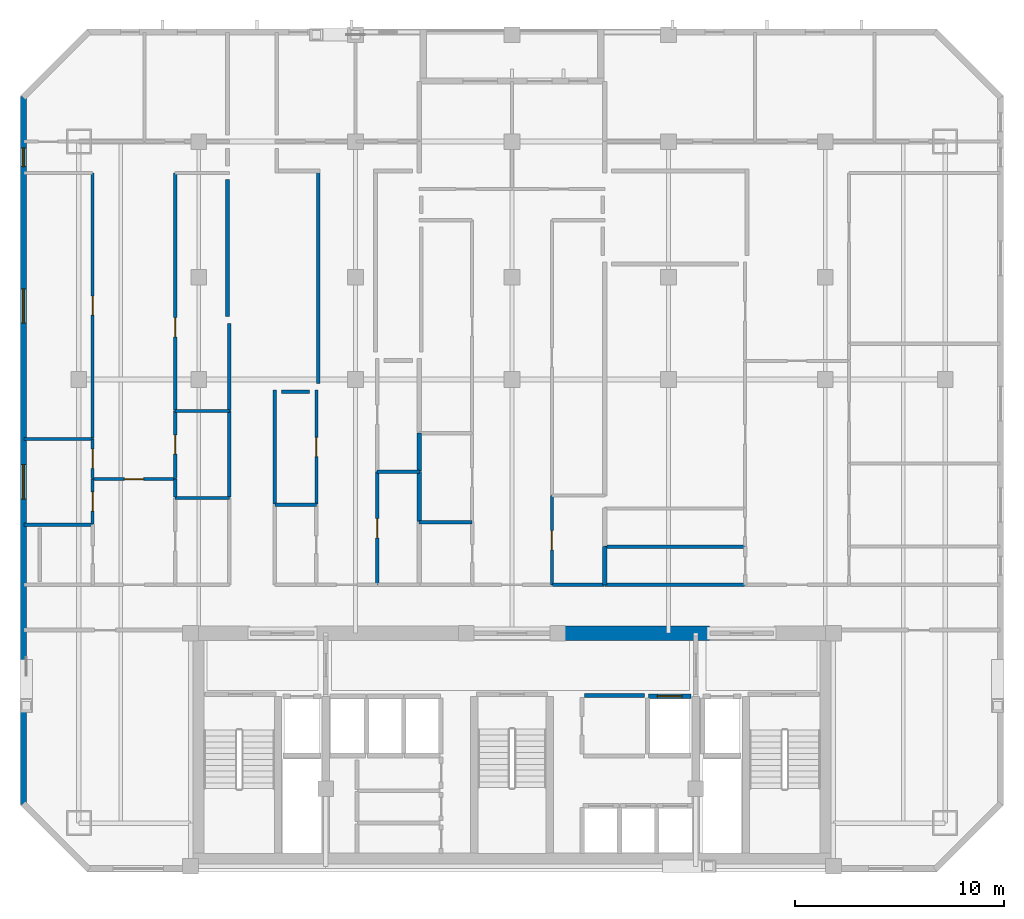
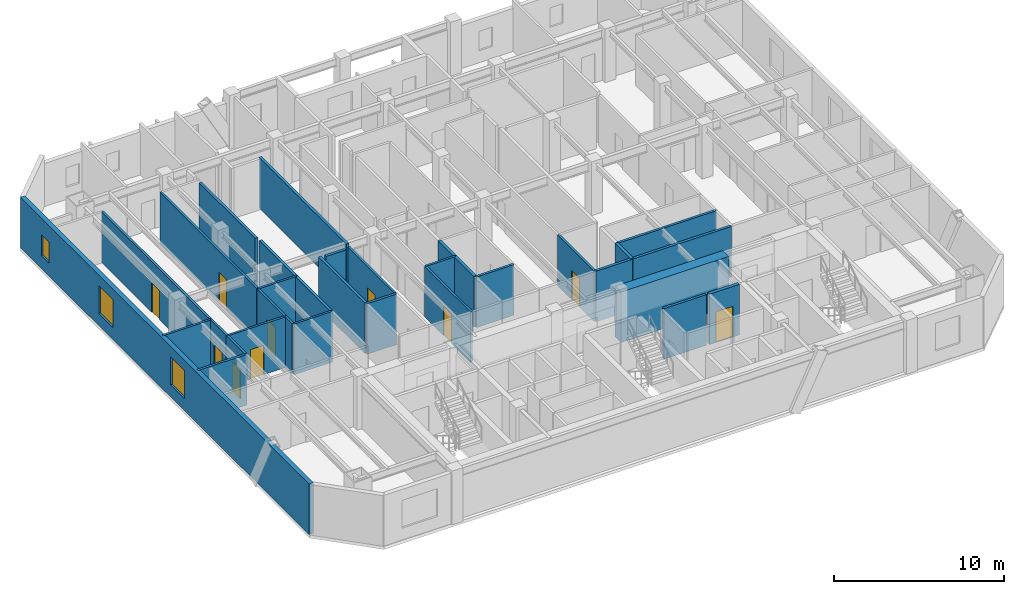
# One storey, part 4 of 9: 33 walls, 10 doors, 3 windows, 13 openings.
"""IFC4 building model written with IfcOpenShell, lengths in metres."""

from ifc_helpers import new_model, si_unit, direction, frame, frame_2d, origin, place, context, subcontext, project, spatial, rectangle, extrude, material, layer, layer_set, type_object, element, fill, save


model = new_model("IFC4")

# Units and contexts
model_context = context("Model", 3, precision=1e-05, world=origin(), true_north=direction((0.0, 1.0)))
body_context = subcontext(model_context, "Body", "Model", "MODEL_VIEW")
ifc_project = project(units=[si_unit("LENGTHUNIT", "METRE"), si_unit("AREAUNIT", "SQUARE_METRE"), si_unit("VOLUMEUNIT", "CUBIC_METRE"), si_unit("PLANEANGLEUNIT", "RADIAN"), si_unit("MASSUNIT", "GRAM", prefix="KILO")], contexts=[model_context])

# Site, building, storey
site_placement = place(None, origin())
site = spatial("IfcSite", under=ifc_project, at=site_placement, CompositionType="ELEMENT")
building_placement = place(site_placement, origin())
building = spatial("IfcBuilding", under=site, at=building_placement, Name="Ventersveld Concourse Tower", CompositionType="ELEMENT")
storey_placement = place(building_placement, frame((0.0, 0.0, 172.14990234375)))
storey = spatial("IfcBuildingStorey", under=building, at=storey_placement, Name="L42", CompositionType="ELEMENT", Elevation=172.14990234375)

# Walls
ifc_material_1 = material(Name="Concrete C60/75", Category="concrete")
ifc_layer_1 = layer(ifc_material_1, 0.699951171875)
ifc_layer_set_1 = layer_set([ifc_layer_1], Name="Concrete C60/75")
wall_type_1 = type_object("IfcWallType", Name="WL-CORE-700", PredefinedType="SHEAR", material=ifc_layer_set_1)
wall_1_placement = place(storey_placement, frame((30.89990234375, 11.449951171875, 0.0), z_axis=(0.0, 0.0, 1.0), x_axis=(1.0, 0.0, 0.0)))
element("IfcWall", 1, at=wall_1_placement, inside=storey, type_object=wall_type_1, Name="L42 Rear Core North Shear Wall NMR", PredefinedType="SHEAR", context=body_context, shape_type="SweptSolid", body=[
    extrude(rectangle(XDim=7.300048828125, YDim=0.699951171875, at=frame_2d((3.64990234375, 0.0))), origin(), (0.0, 0.0, 1.0), 3.630126953125),
])
ifc_material_2 = material(Name="Fire-rated autoclaved aerated masonry blockwork", Category="masonry")
ifc_layer_2 = layer(ifc_material_2, 0.179931640625)
ifc_layer_set_2 = layer_set([ifc_layer_2], Name="Fire-rated autoclaved aerated masonry blockwork")
wall_type_2 = type_object("IfcWallType", Name="WL-CORR-180", PredefinedType="PARTITIONING", material=ifc_layer_set_2)
wall_2_placement = place(storey_placement, frame((32.219970703125, 8.4599609375, 0.0), z_axis=(0.0, 0.0, 1.0), x_axis=(1.0, 0.0, 0.0)))
element("IfcWall", 2, at=wall_2_placement, inside=storey, type_object=wall_type_2, Name="L42 Core Top Wall SP-L42-CBAY1", PredefinedType="PARTITIONING", context=body_context, shape_type="SweptSolid", body=[
    extrude(rectangle(XDim=2.880126953125, YDim=0.179931640625, at=frame_2d((1.43994140625, 0.0))), origin(), (0.0, 0.0, 1.0), 3.630126953125),
])
wall_3_placement = place(storey_placement, frame((15.2099609375, 17.96630859375, 0.0), z_axis=(0.0, 0.0, 1.0), x_axis=(0.0, 1.0, 0.0)))
element("IfcWall", 3, at=wall_3_placement, inside=storey, type_object=wall_type_2, Name="L42 Interior Partition SP-L42-COR-SP-L42-42NW-PANR1", PredefinedType="PARTITIONING", context=body_context, shape_type="SweptSolid", body=[
    extrude(rectangle(XDim=4.13134765625, YDim=0.179931640625, at=frame_2d((2.065673828125, 0.0))), origin(), (0.0, 0.0, 1.0), 3.630126953125),
])
wall_4_placement = place(storey_placement, frame((15.2099609375, 22.127685546875, 0.0), z_axis=(0.0, 0.0, 1.0), x_axis=(0.0, 1.0, 0.0)))
element("IfcWall", 4, at=wall_4_placement, inside=storey, type_object=wall_type_2, Name="L42 Interior Partition SP-L42-COR-SP-L42-42NW-DENR", PredefinedType="PARTITIONING", context=body_context, shape_type="SweptSolid", body=[
    extrude(rectangle(XDim=4.167236328125, YDim=0.179931640625, at=frame_2d((2.08349609375, 0.0))), origin(), (0.0, 0.0, 1.0), 3.630126953125),
])
wall_5_placement = place(storey_placement, frame((17.389892578125, 17.639892578125, 0.0), z_axis=(0.0, 0.0, 1.0), x_axis=(0.0, 1.0, 0.0)))
element("IfcWall", 5, at=wall_5_placement, inside=storey, type_object=wall_type_2, Name="L42 Interior Partition SP-L42-COR-SP-L42-42CW-PANL0", PredefinedType="PARTITIONING", context=body_context, shape_type="SweptSolid", body=[
    extrude(rectangle(XDim=5.46630859375, YDim=0.179931640625, at=frame_2d((2.733154296875, 0.0))), origin(), (0.0, 0.0, 1.0), 3.630126953125),
])
wall_6_placement = place(storey_placement, frame((33.18505859375, 13.77001953125, 0.0), z_axis=(0.0, 0.0, 1.0), x_axis=(1.0, 0.0, 0.0)))
element("IfcWall", 6, at=wall_6_placement, inside=storey, type_object=wall_type_2, Name="L42 Interior Partition SP-L42-COR-SP-L42-42CE-BATH", PredefinedType="PARTITIONING", context=body_context, shape_type="SweptSolid", body=[
    extrude(rectangle(XDim=6.6953125, YDim=0.179931640625, at=frame_2d((3.34765625, 0.0))), origin(), (0.0, 0.0, 1.0), 3.630126953125),
])
wall_7_placement = place(storey_placement, frame((30.696044921875, 13.77001953125, 0.0), z_axis=(0.0, 0.0, 1.0), x_axis=(1.0, 0.0, 0.0)))
element("IfcWall", 7, at=wall_7_placement, inside=storey, type_object=wall_type_2, Name="L42 Interior Partition SP-L42-COR-SP-L42-42CM-KIT", PredefinedType="PARTITIONING", context=body_context, shape_type="SweptSolid", body=[
    extrude(rectangle(XDim=2.458984375, YDim=0.179931640625, at=frame_2d((1.2294921875, 0.0))), origin(), (0.0, 0.0, 1.0), 3.630126953125),
])
wall_8_placement = place(storey_placement, frame((15.1201171875, 33.175048828125, 0.0), z_axis=(0.0, 0.0, 1.0), x_axis=(0.0, -1.0, 0.0)))
element("IfcWall", 8, at=wall_8_placement, inside=storey, type_object=wall_type_2, Name="L42 Room Enclosure Wall SP-L42-42NW-DENR", PredefinedType="PARTITIONING", context=body_context, shape_type="SweptSolid", body=[
    extrude(rectangle(XDim=6.565185546875, YDim=0.179931640625, at=frame_2d((3.28271484375, 0.0))), origin(), (0.0, 0.0, 1.0), 3.630126953125),
])
wall_9_placement = place(storey_placement, frame((19.4658203125, 23.4208984375, 0.0), z_axis=(0.0, 0.0, 1.0), x_axis=(0.0, 1.0, 0.0)))
element("IfcWall", 9, at=wall_9_placement, inside=storey, type_object=wall_type_2, Name="L42 Room Enclosure Wall SP-L42-42CW-LIV", PredefinedType="PARTITIONING", context=body_context, shape_type="SweptSolid", body=[
    extrude(rectangle(XDim=10.26416015625, YDim=0.179931640625, at=frame_2d((5.132080078125, 0.0))), origin(), (0.0, 0.0, 1.0), 3.630126953125),
])
wall_10_placement = place(storey_placement, frame((17.715087890625, 23.010986328125, 0.0), z_axis=(0.0, 0.0, 1.0), x_axis=(1.0, 0.0, 0.0)))
element("IfcWall", 10, at=wall_10_placement, inside=storey, type_object=wall_type_2, Name="L42 Room Enclosure Wall SP-L42-42CW-PANL0", PredefinedType="PARTITIONING", context=body_context, shape_type="SweptSolid", body=[
    extrude(rectangle(XDim=1.335693359375, YDim=0.179931640625, at=frame_2d((0.66796875, 0.0))), origin(), (0.0, 0.0, 1.0), 3.630126953125),
])
ifc_layer_3 = layer(ifc_material_2, 0.199951171875)
ifc_layer_set_3 = layer_set([ifc_layer_3], Name="Fire-rated autoclaved aerated masonry blockwork")
wall_type_3 = type_object("IfcWallType", Name="WL-DEMISE-200", PredefinedType="PARTITIONING", material=ifc_layer_set_3)
wall_11_placement = place(storey_placement, frame((24.31005859375, 16.794677734375, 0.0), z_axis=(0.0, 0.0, 1.0), x_axis=(0.0, 1.0, 0.0)))
element("IfcWall", 11, at=wall_11_placement, inside=storey, type_object=wall_type_3, Name="L42 Interior Partition SP-L42-42CW-KIT-SP-L42-42CM-PANL0", PredefinedType="PARTITIONING", context=body_context, shape_type="SweptSolid", body=[
    extrude(rectangle(XDim=2.395263671875, YDim=0.199951171875, at=frame_2d((1.19775390625, 0.0))), origin(), (0.0, 0.0, 1.0), 3.630126953125),
])
wall_12_placement = place(storey_placement, frame((24.31005859375, 19.219970703125, 0.0), z_axis=(0.0, 0.0, 1.0), x_axis=(0.0, 1.0, 0.0)))
element("IfcWall", 12, at=wall_12_placement, inside=storey, type_object=wall_type_3, Name="L42 Interior Partition SP-L42-42CW-PANR1-SP-L42-42CM-PANL0", PredefinedType="PARTITIONING", context=body_context, shape_type="SweptSolid", body=[
    extrude(rectangle(XDim=1.8115234375, YDim=0.199951171875, at=frame_2d((0.90576171875, 0.0))), origin(), (0.0, 0.0, 1.0), 3.630126953125),
])
wall_13_placement = place(storey_placement, frame((33.18994140625, 13.764892578125, 0.0), z_axis=(0.0, 0.0, 1.0), x_axis=(0.0, 1.0, 0.0)))
element("IfcWall", 13, at=wall_13_placement, inside=storey, type_object=wall_type_3, Name="L42 Interior Partition SP-L42-42CE-BATH-SP-L42-42CM-KIT", PredefinedType="PARTITIONING", context=body_context, shape_type="SweptSolid", body=[
    extrude(rectangle(XDim=1.840087890625, YDim=0.199951171875, at=frame_2d((0.919921875, 0.0))), origin(), (0.0, 0.0, 1.0), 3.630126953125),
])

# Wall, opening, door
ifc_layer_4 = layer(ifc_material_2, 0.219970703125)
ifc_layer_set_4 = layer_set([ifc_layer_4], Name="Fire-rated autoclaved aerated masonry blockwork")
wall_type_4 = type_object("IfcWallType", Name="WL-HOIST-220", PredefinedType="SOLIDWALL", material=ifc_layer_set_4)
wall_14_placement = place(storey_placement, frame((35.280029296875, 8.429931640625, 0.0), z_axis=(0.0, 0.0, 1.0), x_axis=(1.0, 0.0, 0.0)))
wall_14 = element("IfcWall", 14, at=wall_14_placement, inside=storey, type_object=wall_type_4, Name="L42 Lift Hoistway Front Wall SVL-01", PredefinedType="SOLIDWALL", context=body_context, shape_type="SweptSolid", body=[
    extrude(rectangle(XDim=2.0400390625, YDim=0.219970703125, at=frame_2d((1.02001953125, 0.0))), origin(), (0.0, 0.0, 1.0), 3.630126953125),
])
opening_1_placement = place(wall_14_placement, frame((0.429931640625, 0.0, 0.0)))
opening_1 = element("IfcOpeningElement", 15, at=opening_1_placement, cuts=wall_14, Name="Opening LD2", PredefinedType="OPENING", context=body_context, shape_type="SweptSolid", body=[
    extrude(rectangle(XDim=1.179931640625, YDim=2.199951171875, at=frame_2d((0.58984375, 1.10009765625))), frame((0.0, 0.1201171875, 0.0), z_axis=(0.0, -1.0, 0.0), x_axis=(1.0, 0.0, 0.0)), (0.0, 0.0, 1.0), 0.239990234375),
])
ifc_material_3 = material(Name="Brushed stainless steel 316", Category="steel")
door_type_1 = type_object("IfcDoorType", Name="LD-PAX-118", OperationType="SLIDING_TO_LEFT", PredefinedType="DOOR", material=ifc_material_3)
door_1_placement = place(opening_1_placement, origin())
door_1 = element("IfcDoor", 16, at=door_1_placement, inside=storey, type_object=door_type_1, Name="L42 Lift landing door SVL-01 (LD-L42-SVL-01)", OperationType="SLIDING_TO_LEFT", OverallHeight=2.199951171875, OverallWidth=1.179931640625, PredefinedType="DOOR", context=body_context, shape_type="SweptSolid", body=[
    extrude(rectangle(XDim=1.179931640625, YDim=2.199951171875, at=frame_2d((0.58984375, 1.10009765625))), frame((0.0, 0.02490234375, 0.0), z_axis=(0.0, -1.0, 0.0), x_axis=(1.0, 0.0, 0.0)), (0.0, 0.0, 1.0), 0.050048828125),
])
fill(opening_1, door_1)

ifc_material_4 = material(Name="Autoclaved aerated masonry blockwork", Category="masonry")
ifc_layer_5 = layer(ifc_material_4, 0.14990234375)
ifc_layer_set_5 = layer_set([ifc_layer_5], Name="Autoclaved aerated masonry blockwork")
wall_type_5 = type_object("IfcWallType", Name="WL-INT-150", PredefinedType="PARTITIONING", material=ifc_layer_set_5)
wall_15_placement = place(storey_placement, frame((8.65380859375, 18.83349609375, 0.0), z_axis=(0.0, 0.0, 1.0), x_axis=(1.0, 0.0, 0.0)))
wall_15 = element("IfcWall", 17, at=wall_15_placement, inside=storey, type_object=wall_type_5, Name="L42 Interior Partition SP-L42-42NW-FOY-SP-L42-42NW-LIV", PredefinedType="PARTITIONING", context=body_context, shape_type="SweptSolid", body=[
    extrude(rectangle(XDim=3.969970703125, YDim=0.14990234375, at=frame_2d((1.98486328125, 0.0))), origin(), (0.0, 0.0, 1.0), 3.630126953125),
])
opening_2_placement = place(wall_15_placement, frame((1.52490234375, 0.0, 0.0)))
opening_2 = element("IfcOpeningElement", 18, at=opening_2_placement, cuts=wall_15, Name="Opening ID1", PredefinedType="OPENING", context=body_context, shape_type="SweptSolid", body=[
    extrude(rectangle(XDim=0.919921875, YDim=2.10009765625, at=frame_2d((0.4599609375, 1.050048828125))), frame((0.0, 0.0849609375, 0.0), z_axis=(0.0, -1.0, 0.0), x_axis=(1.0, 0.0, 0.0)), (0.0, 0.0, 1.0), 0.169921875),
])
ifc_material_5 = material(Name="Solid-core hardwood veneer timber", Category="wood")
door_type_2 = type_object("IfcDoorType", Name="DR-ROOM-092", OperationType="NOTDEFINED", PredefinedType="DOOR", material=ifc_material_5)
door_2_placement = place(opening_2_placement, origin())
door_2 = element("IfcDoor", 19, at=door_2_placement, inside=storey, type_object=door_type_2, Name="L42 Interior Door SP-L42-42NW-FOY to SP-L42-42NW-LIV (D-L42-2057)", OperationType="SINGLE_SWING_LEFT", OverallHeight=2.10009765625, OverallWidth=0.919921875, PredefinedType="DOOR", context=body_context, shape_type="SweptSolid", body=[
    extrude(rectangle(XDim=0.919921875, YDim=2.10009765625, at=frame_2d((0.4599609375, 1.050048828125))), frame((0.0, 0.02490234375, 0.0), z_axis=(0.0, -1.0, 0.0), x_axis=(1.0, 0.0, 0.0)), (0.0, 0.0, 1.0), 0.050048828125),
])
fill(opening_2, door_2)

wall_16_placement = place(storey_placement, frame((8.65869140625, 16.680419921875, 0.0), z_axis=(0.0, 0.0, 1.0), x_axis=(0.0, 1.0, 0.0)))
wall_16 = element("IfcWall", 20, at=wall_16_placement, inside=storey, type_object=wall_type_5, Name="L42 Interior Partition SP-L42-42NW-FOY-SP-L42-42NW-PANL0", PredefinedType="PARTITIONING", context=body_context, shape_type="SweptSolid", body=[
    extrude(rectangle(XDim=2.157958984375, YDim=0.14990234375, at=frame_2d((1.0791015625, 0.0))), origin(), (0.0, 0.0, 1.0), 3.630126953125),
])
opening_3_placement = place(wall_16_placement, frame((0.618896484375, 0.0, 0.0)))
opening_3 = element("IfcOpeningElement", 21, at=opening_3_placement, cuts=wall_16, Name="Opening ID1", PredefinedType="OPENING", context=body_context, shape_type="SweptSolid", body=[
    extrude(rectangle(XDim=0.919921875, YDim=2.10009765625, at=frame_2d((0.4599609375, 1.050048828125))), frame((0.0, 0.0849609375, 0.0), z_axis=(0.0, -1.0, 0.0), x_axis=(1.0, 0.0, 0.0)), (0.0, 0.0, 1.0), 0.169921875),
])
door_3_placement = place(opening_3_placement, origin())
door_3 = element("IfcDoor", 22, at=door_3_placement, inside=storey, type_object=door_type_2, Name="L42 Interior Door SP-L42-42NW-FOY to SP-L42-42NW-PANL0 (D-L42-2059)", OperationType="SINGLE_SWING_LEFT", OverallHeight=2.10009765625, OverallWidth=0.919921875, PredefinedType="DOOR", context=body_context, shape_type="SweptSolid", body=[
    extrude(rectangle(XDim=0.919921875, YDim=2.10009765625, at=frame_2d((0.4599609375, 1.050048828125))), frame((0.0, 0.02490234375, 0.0), z_axis=(0.0, -1.0, 0.0), x_axis=(1.0, 0.0, 0.0)), (0.0, 0.0, 1.0), 0.050048828125),
])
fill(opening_3, door_3)

# Wall
wall_17_placement = place(storey_placement, frame((12.61865234375, 17.96630859375, 0.0), z_axis=(0.0, 0.0, 1.0), x_axis=(0.0, 1.0, 0.0)))
element("IfcWall", 23, at=wall_17_placement, inside=storey, type_object=wall_type_5, Name="L42 Interior Partition SP-L42-42NW-FOY-SP-L42-42NW-PANR1", PredefinedType="PARTITIONING", context=body_context, shape_type="SweptSolid", body=[
    extrude(rectangle(XDim=0.8720703125, YDim=0.14990234375, at=frame_2d((0.43603515625, 0.0))), origin(), (0.0, 0.0, 1.0), 3.630126953125),
])

# Wall, opening, door
wall_18_placement = place(storey_placement, frame((8.65869140625, 18.868408203125, 0.0), z_axis=(0.0, 0.0, 1.0), x_axis=(0.0, 1.0, 0.0)))
wall_18 = element("IfcWall", 24, at=wall_18_placement, inside=storey, type_object=wall_type_5, Name="L42 Interior Partition SP-L42-42NW-LIV-SP-L42-42NW-PANL0", PredefinedType="PARTITIONING", context=body_context, shape_type="SweptSolid", body=[
    extrude(rectangle(XDim=1.88232421875, YDim=0.14990234375, at=frame_2d((0.941162109375, 0.0))), origin(), (0.0, 0.0, 1.0), 3.630126953125),
])
opening_4_placement = place(wall_18_placement, frame((0.481201171875, 0.0, 0.0)))
opening_4 = element("IfcOpeningElement", 25, at=opening_4_placement, cuts=wall_18, Name="Opening ID1", PredefinedType="OPENING", context=body_context, shape_type="SweptSolid", body=[
    extrude(rectangle(XDim=0.919921875, YDim=2.10009765625, at=frame_2d((0.4599609375, 1.050048828125))), frame((0.0, 0.0849609375, 0.0), z_axis=(0.0, -1.0, 0.0), x_axis=(1.0, 0.0, 0.0)), (0.0, 0.0, 1.0), 0.169921875),
])
door_4_placement = place(opening_4_placement, origin())
door_4 = element("IfcDoor", 26, at=door_4_placement, inside=storey, type_object=door_type_2, Name="L42 Interior Door SP-L42-42NW-LIV to SP-L42-42NW-PANL0 (D-L42-2061)", OperationType="SINGLE_SWING_LEFT", OverallHeight=2.10009765625, OverallWidth=0.919921875, PredefinedType="DOOR", context=body_context, shape_type="SweptSolid", body=[
    extrude(rectangle(XDim=0.919921875, YDim=2.10009765625, at=frame_2d((0.4599609375, 1.050048828125))), frame((0.0, 0.02490234375, 0.0), z_axis=(0.0, -1.0, 0.0), x_axis=(1.0, 0.0, 0.0)), (0.0, 0.0, 1.0), 0.050048828125),
])
fill(opening_4, door_4)

wall_19_placement = place(storey_placement, frame((8.65869140625, 20.78076171875, 0.0), z_axis=(0.0, 0.0, 1.0), x_axis=(0.0, 1.0, 0.0)))
wall_19 = element("IfcWall", 27, at=wall_19_placement, inside=storey, type_object=wall_type_5, Name="L42 Interior Partition SP-L42-42NW-LIV-SP-L42-42NW-MEDL2", PredefinedType="PARTITIONING", context=body_context, shape_type="SweptSolid", body=[
    extrude(rectangle(XDim=12.72412109375, YDim=0.14990234375, at=frame_2d((6.362060546875, 0.0))), origin(), (0.0, 0.0, 1.0), 3.630126953125),
])
opening_5_placement = place(wall_19_placement, frame((5.902099609375, 0.0, 0.0)))
opening_5 = element("IfcOpeningElement", 28, at=opening_5_placement, cuts=wall_19, Name="Opening ID1", PredefinedType="OPENING", context=body_context, shape_type="SweptSolid", body=[
    extrude(rectangle(XDim=0.919921875, YDim=2.10009765625, at=frame_2d((0.4599609375, 1.050048828125))), frame((0.0, 0.0849609375, 0.0), z_axis=(0.0, -1.0, 0.0), x_axis=(1.0, 0.0, 0.0)), (0.0, 0.0, 1.0), 0.169921875),
])
door_5_placement = place(opening_5_placement, origin())
door_5 = element("IfcDoor", 29, at=door_5_placement, inside=storey, type_object=door_type_2, Name="L42 Interior Door SP-L42-42NW-LIV to SP-L42-42NW-MEDL2 (D-L42-2062)", OperationType="SINGLE_SWING_RIGHT", OverallHeight=2.10009765625, OverallWidth=0.919921875, PredefinedType="DOOR", context=body_context, shape_type="SweptSolid", body=[
    extrude(rectangle(XDim=0.919921875, YDim=2.10009765625, at=frame_2d((0.4599609375, 1.050048828125))), frame((0.0, 0.02490234375, 0.0), z_axis=(0.0, -1.0, 0.0), x_axis=(1.0, 0.0, 0.0)), (0.0, 0.0, 1.0), 0.050048828125),
])
fill(opening_5, door_5)

wall_20_placement = place(storey_placement, frame((12.61865234375, 18.868408203125, 0.0), z_axis=(0.0, 0.0, 1.0), x_axis=(0.0, 1.0, 0.0)))
wall_20 = element("IfcWall", 30, at=wall_20_placement, inside=storey, type_object=wall_type_5, Name="L42 Interior Partition SP-L42-42NW-LIV-SP-L42-42NW-PANR1", PredefinedType="PARTITIONING", context=body_context, shape_type="SweptSolid", body=[
    extrude(rectangle(XDim=3.229248046875, YDim=0.14990234375, at=frame_2d((1.61474609375, 0.0))), origin(), (0.0, 0.0, 1.0), 3.630126953125),
])
opening_6_placement = place(wall_20_placement, frame((1.154541015625, 0.0, 0.0)))
opening_6 = element("IfcOpeningElement", 31, at=opening_6_placement, cuts=wall_20, Name="Opening ID1", PredefinedType="OPENING", context=body_context, shape_type="SweptSolid", body=[
    extrude(rectangle(XDim=0.919921875, YDim=2.10009765625, at=frame_2d((0.4599609375, 1.050048828125))), frame((0.0, 0.0849609375, 0.0), z_axis=(0.0, -1.0, 0.0), x_axis=(1.0, 0.0, 0.0)), (0.0, 0.0, 1.0), 0.169921875),
])
door_6_placement = place(opening_6_placement, origin())
door_6 = element("IfcDoor", 32, at=door_6_placement, inside=storey, type_object=door_type_2, Name="L42 Interior Door SP-L42-42NW-LIV to SP-L42-42NW-PANR1 (D-L42-2063)", OperationType="SINGLE_SWING_LEFT", OverallHeight=2.10009765625, OverallWidth=0.919921875, PredefinedType="DOOR", context=body_context, shape_type="SweptSolid", body=[
    extrude(rectangle(XDim=0.919921875, YDim=2.10009765625, at=frame_2d((0.4599609375, 1.050048828125))), frame((0.0, 0.02490234375, 0.0), z_axis=(0.0, -1.0, 0.0), x_axis=(1.0, 0.0, 0.0)), (0.0, 0.0, 1.0), 0.050048828125),
])
fill(opening_6, door_6)

wall_21_placement = place(storey_placement, frame((12.61865234375, 22.127685546875, 0.0), z_axis=(0.0, 0.0, 1.0), x_axis=(0.0, 1.0, 0.0)))
wall_21 = element("IfcWall", 33, at=wall_21_placement, inside=storey, type_object=wall_type_5, Name="L42 Interior Partition SP-L42-42NW-LIV-SP-L42-42NW-DENR", PredefinedType="PARTITIONING", context=body_context, shape_type="SweptSolid", body=[
    extrude(rectangle(XDim=11.377197265625, YDim=0.14990234375, at=frame_2d((5.6884765625, 0.0))), origin(), (0.0, 0.0, 1.0), 3.630126953125),
])
opening_7_placement = place(wall_21_placement, frame((3.522216796875, 0.0, 0.0)))
opening_7 = element("IfcOpeningElement", 34, at=opening_7_placement, cuts=wall_21, Name="Opening ID1", PredefinedType="OPENING", context=body_context, shape_type="SweptSolid", body=[
    extrude(rectangle(XDim=0.919921875, YDim=2.10009765625, at=frame_2d((0.4599609375, 1.050048828125))), frame((0.0, 0.0849609375, 0.0), z_axis=(0.0, -1.0, 0.0), x_axis=(1.0, 0.0, 0.0)), (0.0, 0.0, 1.0), 0.169921875),
])
door_7_placement = place(opening_7_placement, origin())
door_7 = element("IfcDoor", 35, at=door_7_placement, inside=storey, type_object=door_type_2, Name="L42 Interior Door SP-L42-42NW-LIV to SP-L42-42NW-DENR (D-L42-2064)", OperationType="SINGLE_SWING_RIGHT", OverallHeight=2.10009765625, OverallWidth=0.919921875, PredefinedType="DOOR", context=body_context, shape_type="SweptSolid", body=[
    extrude(rectangle(XDim=0.919921875, YDim=2.10009765625, at=frame_2d((0.4599609375, 1.050048828125))), frame((0.0, 0.02490234375, 0.0), z_axis=(0.0, -1.0, 0.0), x_axis=(1.0, 0.0, 0.0)), (0.0, 0.0, 1.0), 0.050048828125),
])
fill(opening_7, door_7)

# Walls
wall_22_placement = place(storey_placement, frame((5.37255859375, 20.74560546875, 0.0), z_axis=(0.0, 0.0, 1.0), x_axis=(1.0, 0.0, 0.0)))
element("IfcWall", 36, at=wall_22_placement, inside=storey, type_object=wall_type_5, Name="L42 Interior Partition SP-L42-42NW-PANL0-SP-L42-42NW-MEDL2", PredefinedType="PARTITIONING", context=body_context, shape_type="SweptSolid", body=[
    extrude(rectangle(XDim=3.291259765625, YDim=0.14990234375, at=frame_2d((1.6455078125, 0.0))), origin(), (0.0, 0.0, 1.0), 3.630126953125),
])
for number, where, z_axis, x_axis, name in (
    (37, (12.61376953125, 17.931396484375, 0.0), (0.0, 0.0, 1.0), (1.0, 0.0, 0.0), "L42 Interior Partition SP-L42-42NW-KIT-SP-L42-42NW-PANR1"),
    (38, (12.61376953125, 22.092529296875, 0.0), (0.0, 0.0, 1.0), (1.0, 0.0, 0.0), "L42 Interior Partition SP-L42-42NW-PANR1-SP-L42-42NW-DENR"),
):
    element("IfcWall", number, at=place(storey_placement, frame(where, z_axis=z_axis, x_axis=x_axis)), inside=storey, type_object=wall_type_5, Name=name, PredefinedType="PARTITIONING", context=body_context, shape_type="SweptSolid", body=[
        extrude(rectangle(XDim=2.601318359375, YDim=0.14990234375, at=frame_2d((1.30078125, 0.0))), origin(), (0.0, 0.0, 1.0), 3.630126953125),
    ])

# Wall, opening, door
wall_23_placement = place(storey_placement, frame((19.375732421875, 17.639892578125, 0.0), z_axis=(0.0, 0.0, 1.0), x_axis=(0.0, 1.0, 0.0)))
wall_23 = element("IfcWall", 39, at=wall_23_placement, inside=storey, type_object=wall_type_5, Name="L42 Interior Partition SP-L42-42CW-LIV-SP-L42-42CW-PANL0", PredefinedType="PARTITIONING", context=body_context, shape_type="SweptSolid", body=[
    extrude(rectangle(XDim=5.46630859375, YDim=0.14990234375, at=frame_2d((2.733154296875, 0.0))), origin(), (0.0, 0.0, 1.0), 3.630126953125),
])
opening_8_placement = place(wall_23_placement, frame((2.273193359375, 0.0, 0.0)))
opening_8 = element("IfcOpeningElement", 40, at=opening_8_placement, cuts=wall_23, Name="Opening ID1", PredefinedType="OPENING", context=body_context, shape_type="SweptSolid", body=[
    extrude(rectangle(XDim=0.919921875, YDim=2.10009765625, at=frame_2d((0.4599609375, 1.050048828125))), frame((0.0, 0.0849609375, 0.0), z_axis=(0.0, -1.0, 0.0), x_axis=(1.0, 0.0, 0.0)), (0.0, 0.0, 1.0), 0.169921875),
])
door_8_placement = place(opening_8_placement, origin())
door_8 = element("IfcDoor", 41, at=door_8_placement, inside=storey, type_object=door_type_2, Name="L42 Interior Door SP-L42-42CW-LIV to SP-L42-42CW-PANL0 (D-L42-2068)", OperationType="SINGLE_SWING_RIGHT", OverallHeight=2.10009765625, OverallWidth=0.919921875, PredefinedType="DOOR", context=body_context, shape_type="SweptSolid", body=[
    extrude(rectangle(XDim=0.919921875, YDim=2.10009765625, at=frame_2d((0.4599609375, 1.050048828125))), frame((0.0, 0.02490234375, 0.0), z_axis=(0.0, -1.0, 0.0), x_axis=(1.0, 0.0, 0.0)), (0.0, 0.0, 1.0), 0.050048828125),
])
fill(opening_8, door_8)

wall_24_placement = place(storey_placement, frame((22.296142578125, 13.764892578125, 0.0), z_axis=(0.0, 0.0, 1.0), x_axis=(0.0, 1.0, 0.0)))
wall_24 = element("IfcWall", 42, at=wall_24_placement, inside=storey, type_object=wall_type_5, Name="L42 Interior Partition SP-L42-42CW-LIV-SP-L42-42CW-KIT", PredefinedType="PARTITIONING", context=body_context, shape_type="SweptSolid", body=[
    extrude(rectangle(XDim=5.425048828125, YDim=0.14990234375, at=frame_2d((2.71240234375, 0.0))), origin(), (0.0, 0.0, 1.0), 3.630126953125),
])
opening_9_placement = place(wall_24_placement, frame((2.25244140625, 0.0, 0.0)))
opening_9 = element("IfcOpeningElement", 43, at=opening_9_placement, cuts=wall_24, Name="Opening ID1", PredefinedType="OPENING", context=body_context, shape_type="SweptSolid", body=[
    extrude(rectangle(XDim=0.919921875, YDim=2.10009765625, at=frame_2d((0.4599609375, 1.050048828125))), frame((0.0, 0.0849609375, 0.0), z_axis=(0.0, -1.0, 0.0), x_axis=(1.0, 0.0, 0.0)), (0.0, 0.0, 1.0), 0.169921875),
])
door_9_placement = place(opening_9_placement, origin())
door_9 = element("IfcDoor", 44, at=door_9_placement, inside=storey, type_object=door_type_2, Name="L42 Interior Door SP-L42-42CW-LIV to SP-L42-42CW-KIT (D-L42-2069)", OperationType="SINGLE_SWING_LEFT", OverallHeight=2.10009765625, OverallWidth=0.919921875, PredefinedType="DOOR", context=body_context, shape_type="SweptSolid", body=[
    extrude(rectangle(XDim=0.919921875, YDim=2.10009765625, at=frame_2d((0.4599609375, 1.050048828125))), frame((0.0, 0.02490234375, 0.0), z_axis=(0.0, -1.0, 0.0), x_axis=(1.0, 0.0, 0.0)), (0.0, 0.0, 1.0), 0.050048828125),
])
fill(opening_9, door_9)

# Wall
wall_25_placement = place(storey_placement, frame((22.291259765625, 19.18505859375, 0.0), z_axis=(0.0, 0.0, 1.0), x_axis=(1.0, 0.0, 0.0)))
element("IfcWall", 45, at=wall_25_placement, inside=storey, type_object=wall_type_5, Name="L42 Interior Partition SP-L42-42CW-KIT-SP-L42-42CW-PANR1", PredefinedType="PARTITIONING", context=body_context, shape_type="SweptSolid", body=[
    extrude(rectangle(XDim=2.023681640625, YDim=0.14990234375, at=frame_2d((1.01171875, 0.0))), origin(), (0.0, 0.0, 1.0), 3.630126953125),
])

# Wall, opening, door
wall_26_placement = place(storey_placement, frame((30.660888671875, 13.764892578125, 0.0), z_axis=(0.0, 0.0, 1.0), x_axis=(0.0, 1.0, 0.0)))
wall_26 = element("IfcWall", 46, at=wall_26_placement, inside=storey, type_object=wall_type_5, Name="L42 Interior Partition SP-L42-42CM-LIV-SP-L42-42CM-KIT", PredefinedType="PARTITIONING", context=body_context, shape_type="SweptSolid", body=[
    extrude(rectangle(XDim=4.27685546875, YDim=0.14990234375, at=frame_2d((2.138427734375, 0.0))), origin(), (0.0, 0.0, 1.0), 3.630126953125),
])
opening_10_placement = place(wall_26_placement, frame((1.678466796875, 0.0, 0.0)))
opening_10 = element("IfcOpeningElement", 47, at=opening_10_placement, cuts=wall_26, Name="Opening ID1", PredefinedType="OPENING", context=body_context, shape_type="SweptSolid", body=[
    extrude(rectangle(XDim=0.919921875, YDim=2.10009765625, at=frame_2d((0.4599609375, 1.050048828125))), frame((0.0, 0.0849609375, 0.0), z_axis=(0.0, -1.0, 0.0), x_axis=(1.0, 0.0, 0.0)), (0.0, 0.0, 1.0), 0.169921875),
])
door_10_placement = place(opening_10_placement, origin())
door_10 = element("IfcDoor", 48, at=door_10_placement, inside=storey, type_object=door_type_2, Name="L42 Interior Door SP-L42-42CM-LIV to SP-L42-42CM-KIT (D-L42-2088)", OperationType="SINGLE_SWING_RIGHT", OverallHeight=2.10009765625, OverallWidth=0.919921875, PredefinedType="DOOR", context=body_context, shape_type="SweptSolid", body=[
    extrude(rectangle(XDim=0.919921875, YDim=2.10009765625, at=frame_2d((0.4599609375, 1.050048828125))), frame((0.0, 0.02490234375, 0.0), z_axis=(0.0, -1.0, 0.0), x_axis=(1.0, 0.0, 0.0)), (0.0, 0.0, 1.0), 0.050048828125),
])
fill(opening_10, door_10)

# Wall, openings, windows
ifc_material_6 = material(Name="Precast concrete C45/55", Category="concrete")
ifc_layer_6 = layer(ifc_material_6, 0.300048828125)
ifc_layer_set_6 = layer_set([ifc_layer_6], Name="Precast concrete C45/55")
wall_type_6 = type_object("IfcWallType", Name="WL-PREC-300", PredefinedType="SOLIDWALL", material=ifc_layer_set_6)
wall_27_placement = place(storey_placement, frame((5.35009765625, 37.159912109375, 0.0), z_axis=(0.0, 0.0, 1.0), x_axis=(0.0, -1.0, 0.0)))
wall_27 = element("IfcWall", 49, at=wall_27_placement, inside=storey, type_object=wall_type_6, Name="L42 Highveld Precast Facade Wall E11", PredefinedType="SOLIDWALL", context=body_context, shape_type="SweptSolid", body=[
    extrude(rectangle(XDim=33.919921875, YDim=0.300048828125, at=frame_2d((16.9599609375, 0.0))), origin(), (0.0, 0.0, 1.0), 3.630126953125),
])
opening_11_placement = place(wall_27_placement, frame((2.4599609375, 0.0, 0.949951171875)))
opening_11 = element("IfcOpeningElement", 50, at=opening_11_placement, cuts=wall_27, Name="Opening W4", PredefinedType="OPENING", context=body_context, shape_type="SweptSolid", body=[
    extrude(rectangle(XDim=0.89990234375, YDim=1.5, at=frame_2d((0.449951171875, 0.75))), frame((0.0, 0.16015625, 0.0), z_axis=(0.0, -1.0, 0.0), x_axis=(1.0, 0.0, 0.0)), (0.0, 0.0, 1.0), 0.320068359375),
])
opening_12_placement = place(wall_27_placement, frame((17.639404296875, 0.0, 0.8798828125)))
opening_12 = element("IfcOpeningElement", 51, at=opening_12_placement, cuts=wall_27, Name="Opening W6", PredefinedType="OPENING", context=body_context, shape_type="SweptSolid", body=[
    extrude(rectangle(XDim=1.64990234375, YDim=2.0, at=frame_2d((0.824951171875, 1.0))), frame((0.0, 0.16015625, 0.0), z_axis=(0.0, -1.0, 0.0), x_axis=(1.0, 0.0, 0.0)), (0.0, 0.0, 1.0), 0.320068359375),
])
opening_13_placement = place(wall_27_placement, frame((9.212158203125, 0.0, 0.8798828125)))
opening_13 = element("IfcOpeningElement", 52, at=opening_13_placement, cuts=wall_27, Name="Opening W6", PredefinedType="OPENING", context=body_context, shape_type="SweptSolid", body=[
    extrude(rectangle(XDim=1.64990234375, YDim=2.0, at=frame_2d((0.824951171875, 1.0))), frame((0.0, 0.16015625, 0.0), z_axis=(0.0, -1.0, 0.0), x_axis=(1.0, 0.0, 0.0)), (0.0, 0.0, 1.0), 0.320068359375),
])
ifc_material_7 = material(Name="Tempered acoustic Low-E IGU", Category="glass")
window_type_1 = type_object("IfcWindowType", Name="WIN-090x150", PartitioningType="SINGLE_PANEL", PredefinedType="WINDOW", material=ifc_material_7)
window_1_placement = place(opening_11_placement, origin())
window_1 = element("IfcWindow", 53, at=window_1_placement, inside=storey, type_object=window_type_1, Name="L42 Punched Low-E Window W-0565", OverallHeight=1.5, OverallWidth=0.89990234375, PartitioningType="SINGLE_PANEL", PredefinedType="WINDOW", context=body_context, shape_type="SweptSolid", body=[
    extrude(rectangle(XDim=0.89990234375, YDim=1.5, at=frame_2d((0.449951171875, 0.75))), frame((0.0, 0.030029296875, 0.0), z_axis=(0.0, -1.0, 0.0), x_axis=(1.0, 0.0, 0.0)), (0.0, 0.0, 1.0), 0.06005859375),
])
fill(opening_11, window_1)
window_type_2 = type_object("IfcWindowType", Name="WIN-165x200", PartitioningType="SINGLE_PANEL", PredefinedType="WINDOW", material=ifc_material_7)
window_2_placement = place(opening_12_placement, origin())
window_2 = element("IfcWindow", 54, at=window_2_placement, inside=storey, type_object=window_type_2, Name="L42 Punched Low-E Window W-0566", OverallHeight=2.0, OverallWidth=1.64990234375, PartitioningType="SINGLE_PANEL", PredefinedType="WINDOW", context=body_context, shape_type="SweptSolid", body=[
    extrude(rectangle(XDim=1.64990234375, YDim=2.0, at=frame_2d((0.824951171875, 1.0))), frame((0.0, 0.030029296875, 0.0), z_axis=(0.0, -1.0, 0.0), x_axis=(1.0, 0.0, 0.0)), (0.0, 0.0, 1.0), 0.06005859375),
])
fill(opening_12, window_2)
window_3_placement = place(opening_13_placement, origin())
window_3 = element("IfcWindow", 55, at=window_3_placement, inside=storey, type_object=window_type_2, Name="L42 Punched Low-E Window W-0567", OverallHeight=2.0, OverallWidth=1.64990234375, PartitioningType="SINGLE_PANEL", PredefinedType="WINDOW", context=body_context, shape_type="SweptSolid", body=[
    extrude(rectangle(XDim=1.64990234375, YDim=2.0, at=frame_2d((0.824951171875, 1.0))), frame((0.0, 0.030029296875, 0.0), z_axis=(0.0, -1.0, 0.0), x_axis=(1.0, 0.0, 0.0)), (0.0, 0.0, 1.0), 0.06005859375),
])
fill(opening_13, window_3)

# Walls
ifc_layer_7 = layer(ifc_material_4, 0.1650390625)
ifc_layer_set_7 = layer_set([ifc_layer_7], Name="Autoclaved aerated masonry blockwork")
wall_type_7 = type_object("IfcWallType", Name="WL-WET-165", PredefinedType="PLUMBINGWALL", material=ifc_layer_set_7)
wall_28_placement = place(storey_placement, frame((5.37255859375, 16.645263671875, 0.0), z_axis=(0.0, 0.0, 1.0), x_axis=(1.0, 0.0, 0.0)))
element("IfcWall", 56, at=wall_28_placement, inside=storey, type_object=wall_type_7, Name="L42 Interior Partition SP-L42-42NW-BATH-SP-L42-42NW-PANL0", PredefinedType="PLUMBINGWALL", context=body_context, shape_type="SweptSolid", body=[
    extrude(rectangle(XDim=3.291259765625, YDim=0.1650390625, at=frame_2d((1.6455078125, 0.0))), origin(), (0.0, 0.0, 1.0), 3.630126953125),
])
wall_29_placement = place(storey_placement, frame((17.385009765625, 17.60498046875, 0.0), z_axis=(0.0, 0.0, 1.0), x_axis=(1.0, 0.0, 0.0)))
element("IfcWall", 57, at=wall_29_placement, inside=storey, type_object=wall_type_7, Name="L42 Interior Partition SP-L42-42CW-BATH-SP-L42-42CW-PANL0", PredefinedType="PLUMBINGWALL", context=body_context, shape_type="SweptSolid", body=[
    extrude(rectangle(XDim=1.995849609375, YDim=0.1650390625, at=frame_2d((0.998046875, 0.0))), origin(), (0.0, 0.0, 1.0), 3.630126953125),
])
wall_30_placement = place(storey_placement, frame((33.18505859375, 15.60009765625, 0.0), z_axis=(0.0, 0.0, 1.0), x_axis=(1.0, 0.0, 0.0)))
element("IfcWall", 58, at=wall_30_placement, inside=storey, type_object=wall_type_7, Name="L42 Interior Partition SP-L42-42CE-BATH-SP-L42-42CE-PANL0", PredefinedType="PLUMBINGWALL", context=body_context, shape_type="SweptSolid", body=[
    extrude(rectangle(XDim=6.7353515625, YDim=0.1650390625, at=frame_2d((3.36767578125, 0.0))), origin(), (0.0, 0.0, 1.0), 3.630126953125),
])
wall_31_placement = place(storey_placement, frame((24.304931640625, 16.759765625, 0.0), z_axis=(0.0, 0.0, 1.0), x_axis=(1.0, 0.0, 0.0)))
element("IfcWall", 59, at=wall_31_placement, inside=storey, type_object=wall_type_7, Name="L42 Interior Partition SP-L42-42CM-BATH-SP-L42-42CM-PANL0", PredefinedType="PLUMBINGWALL", context=body_context, shape_type="SweptSolid", body=[
    extrude(rectangle(XDim=2.5390625, YDim=0.1650390625, at=frame_2d((1.26953125, 0.0))), origin(), (0.0, 0.0, 1.0), 3.630126953125),
])

save(model, "model.ifc")
